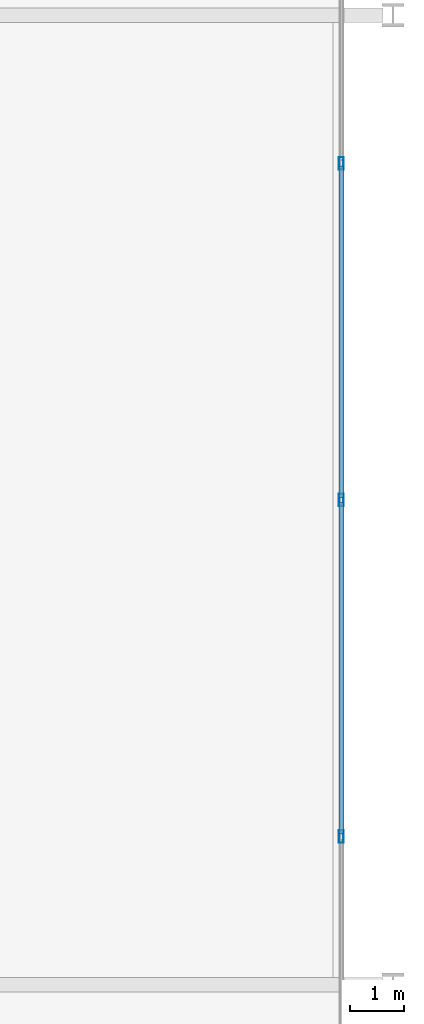
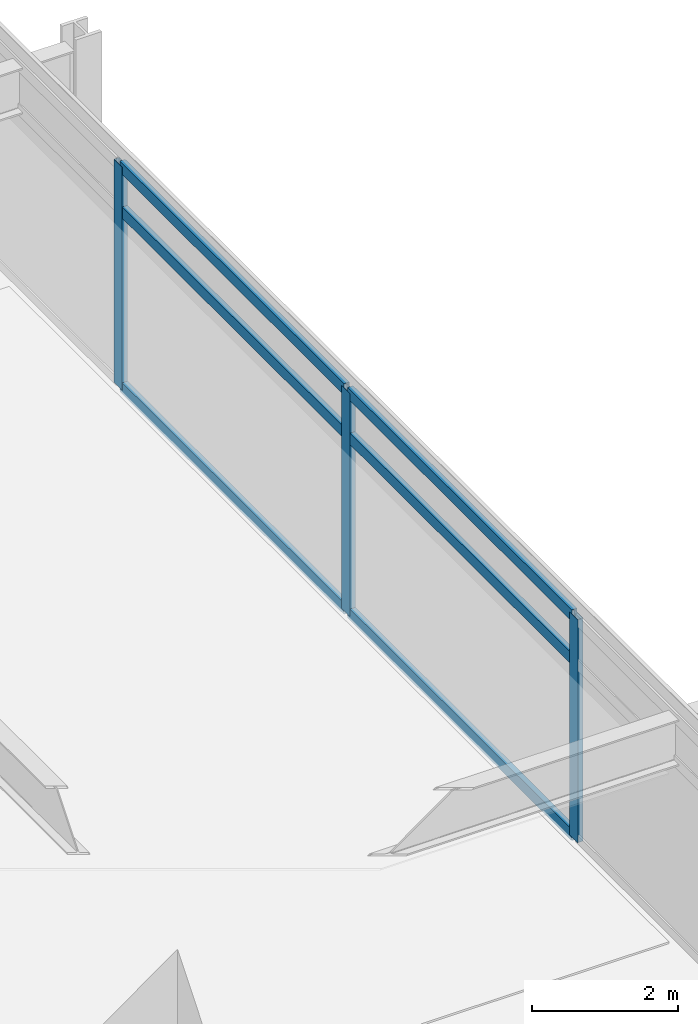
# One storey, part 8 of 22: 9 members, 1 element without a shape of its own.
"""IFC4 building model written with IfcOpenShell, lengths in metres."""

from ifc_helpers import new_model, si_unit, direction, frame, origin, origin_2d, place, context, subcontext, project, spatial, hollow_rectangle, extrude, material, material_profile, profile_set, type_object, element, aggregate, save


model = new_model("IFC4")

# Units and contexts
model_context = context("Model", 3, precision=1e-05, world=origin(), true_north=direction((0.0, 1.0)))
body_context = subcontext(model_context, "Body", "Model", "MODEL_VIEW")
ifc_project = project(units=[si_unit("LENGTHUNIT", "METRE"), si_unit("AREAUNIT", "SQUARE_METRE"), si_unit("VOLUMEUNIT", "CUBIC_METRE"), si_unit("PLANEANGLEUNIT", "RADIAN"), si_unit("MASSUNIT", "GRAM", prefix="KILO")], contexts=[model_context])

# Site, building, storey
site_placement = place(None, origin())
site = spatial("IfcSite", under=ifc_project, at=site_placement, CompositionType="ELEMENT")
building_placement = place(site_placement, origin())
building = spatial("IfcBuilding", under=site, at=building_placement, Name="Kovane Verandah Tower", CompositionType="ELEMENT")
storey_placement = place(building_placement, frame((0.0, 0.0, 156.39990234375)))
storey = spatial("IfcBuildingStorey", under=building, at=storey_placement, Name="L36", CompositionType="ELEMENT", Elevation=156.39990234375)

# Curtain wall, members
ifc_material_1 = material(Name="Champagne Anodised Aluminium Frame with Low-E Clear Laminated Glass", Category="aluminium")
curtain_wall_type = type_object("IfcCurtainWallType", Name="CW-SYS-03-MID", PredefinedType="NOTDEFINED", material=ifc_material_1)
curtain_wall_placement = place(storey_placement, origin())
curtain_wall = element("IfcCurtainWall", 1, at=curtain_wall_placement, inside=storey, type_object=curtain_wall_type, Name="L36 E Unitised Curtain Wall", PredefinedType="NOTDEFINED")
ifc_material_2 = material(Name="Champagne Anodised Aluminium 6063-T6", Category="aluminium")
ifc_material_profile_1 = material_profile(ifc_material_2, hollow_rectangle(XDim=0.0849609375, YDim=0.22998046875, WallThickness=0.00390625, at=origin_2d()), Name="AL85x230x4")
ifc_profile_set_1 = profile_set([ifc_material_profile_1], Name="Champagne Anodised Aluminium 6063-T6")
member_type_1 = type_object("IfcMemberType", Name="CW-MUL-85x230", PredefinedType="MULLION", material=ifc_profile_set_1)
member_1_placement = place(storey_placement, frame((66.64208984375, 21.251220703125, 0.02001953125), z_axis=(0.0, 0.0, 1.0), x_axis=(1.0, 0.0, 0.0)))
member_1 = element("IfcMember", 2, at=member_1_placement, type_object=member_type_1, Name="L36 E Unitised Curtain Wall Mullion 3", PredefinedType="MULLION", context=body_context, shape_type="SweptSolid", body=[
    extrude(hollow_rectangle(XDim=0.0849609375, YDim=0.22998046875, WallThickness=0.00390625, at=origin_2d()), origin(), (0.0, 0.0, 1.0), 3.735107421875),
])
member_2_placement = place(storey_placement, frame((66.64208984375, 27.5, 0.02001953125), z_axis=(0.0, 0.0, 1.0), x_axis=(1.0, 0.0, 0.0)))
member_2 = element("IfcMember", 3, at=member_2_placement, type_object=member_type_1, Name="L36 E Unitised Curtain Wall Mullion 4", PredefinedType="MULLION", context=body_context, shape_type="SweptSolid", body=[
    extrude(hollow_rectangle(XDim=0.0849609375, YDim=0.22998046875, WallThickness=0.00390625, at=origin_2d()), origin(), (0.0, 0.0, 1.0), 3.735107421875),
])
member_3_placement = place(storey_placement, frame((66.64208984375, 33.748779296875, 0.02001953125), z_axis=(0.0, 0.0, 1.0), x_axis=(1.0, 0.0, 0.0)))
member_3 = element("IfcMember", 4, at=member_3_placement, type_object=member_type_1, Name="L36 E Unitised Curtain Wall Mullion 5", PredefinedType="MULLION", context=body_context, shape_type="SweptSolid", body=[
    extrude(hollow_rectangle(XDim=0.0849609375, YDim=0.22998046875, WallThickness=0.00390625, at=origin_2d()), origin(), (0.0, 0.0, 1.0), 3.735107421875),
])
ifc_material_profile_2 = material_profile(ifc_material_2, hollow_rectangle(XDim=0.0849609375, YDim=0.18994140625, WallThickness=0.00390625, at=origin_2d()), Name="AL85x190x4")
ifc_profile_set_2 = profile_set([ifc_material_profile_2], Name="Champagne Anodised Aluminium 6063-T6")
member_type_2 = type_object("IfcMemberType", Name="CW-TRN-85x190", PredefinedType="USERDEFINED", material=ifc_profile_set_2)
member_4_placement = place(storey_placement, frame((66.64208984375, 21.30126953125, 0.050048828125), z_axis=(0.0, 1.0, 0.0), x_axis=(-1.0, 0.0, 0.0)))
member_4 = element("IfcMember", 5, at=member_4_placement, type_object=member_type_2, Name="L36 E Unitised Curtain Wall Transom TB Bay 3", ObjectType="TRANSOM", PredefinedType="USERDEFINED", context=body_context, shape_type="SweptSolid", body=[
    extrude(hollow_rectangle(XDim=0.0849609375, YDim=0.18994140625, WallThickness=0.00390625, at=origin_2d()), origin(), (0.0, 0.0, 1.0), 6.148681640625),
])
member_5_placement = place(storey_placement, frame((66.64208984375, 21.30126953125, 2.9951171875), z_axis=(0.0, 1.0, 0.0), x_axis=(-1.0, 0.0, 0.0)))
member_5 = element("IfcMember", 6, at=member_5_placement, type_object=member_type_2, Name="L36 E Unitised Curtain Wall Transom TM Bay 3", ObjectType="TRANSOM", PredefinedType="USERDEFINED", context=body_context, shape_type="SweptSolid", body=[
    extrude(hollow_rectangle(XDim=0.0849609375, YDim=0.18994140625, WallThickness=0.00390625, at=origin_2d()), origin(), (0.0, 0.0, 1.0), 6.148681640625),
])
member_6_placement = place(storey_placement, frame((66.64208984375, 21.30126953125, 3.72509765625), z_axis=(0.0, 1.0, 0.0), x_axis=(-1.0, 0.0, 0.0)))
member_6 = element("IfcMember", 7, at=member_6_placement, type_object=member_type_2, Name="L36 E Unitised Curtain Wall Transom TT Bay 3", ObjectType="TRANSOM", PredefinedType="USERDEFINED", context=body_context, shape_type="SweptSolid", body=[
    extrude(hollow_rectangle(XDim=0.0849609375, YDim=0.18994140625, WallThickness=0.00390625, at=origin_2d()), origin(), (0.0, 0.0, 1.0), 6.148681640625),
])
member_7_placement = place(storey_placement, frame((66.64208984375, 27.550048828125, 0.050048828125), z_axis=(0.0, 1.0, 0.0), x_axis=(-1.0, 0.0, 0.0)))
member_7 = element("IfcMember", 8, at=member_7_placement, type_object=member_type_2, Name="L36 E Unitised Curtain Wall Transom TB Bay 4", ObjectType="TRANSOM", PredefinedType="USERDEFINED", context=body_context, shape_type="SweptSolid", body=[
    extrude(hollow_rectangle(XDim=0.0849609375, YDim=0.18994140625, WallThickness=0.00390625, at=origin_2d()), origin(), (0.0, 0.0, 1.0), 6.148681640625),
])
member_8_placement = place(storey_placement, frame((66.64208984375, 27.550048828125, 2.9951171875), z_axis=(0.0, 1.0, 0.0), x_axis=(-1.0, 0.0, 0.0)))
member_8 = element("IfcMember", 9, at=member_8_placement, type_object=member_type_2, Name="L36 E Unitised Curtain Wall Transom TM Bay 4", ObjectType="TRANSOM", PredefinedType="USERDEFINED", context=body_context, shape_type="SweptSolid", body=[
    extrude(hollow_rectangle(XDim=0.0849609375, YDim=0.18994140625, WallThickness=0.00390625, at=origin_2d()), origin(), (0.0, 0.0, 1.0), 6.148681640625),
])
member_9_placement = place(storey_placement, frame((66.64208984375, 27.550048828125, 3.72509765625), z_axis=(0.0, 1.0, 0.0), x_axis=(-1.0, 0.0, 0.0)))
member_9 = element("IfcMember", 10, at=member_9_placement, type_object=member_type_2, Name="L36 E Unitised Curtain Wall Transom TT Bay 4", ObjectType="TRANSOM", PredefinedType="USERDEFINED", context=body_context, shape_type="SweptSolid", body=[
    extrude(hollow_rectangle(XDim=0.0849609375, YDim=0.18994140625, WallThickness=0.00390625, at=origin_2d()), origin(), (0.0, 0.0, 1.0), 6.148681640625),
])
aggregate(curtain_wall, [member_1, member_2, member_3, member_4, member_5, member_6, member_7, member_8, member_9])

save(model, "model.ifc")
